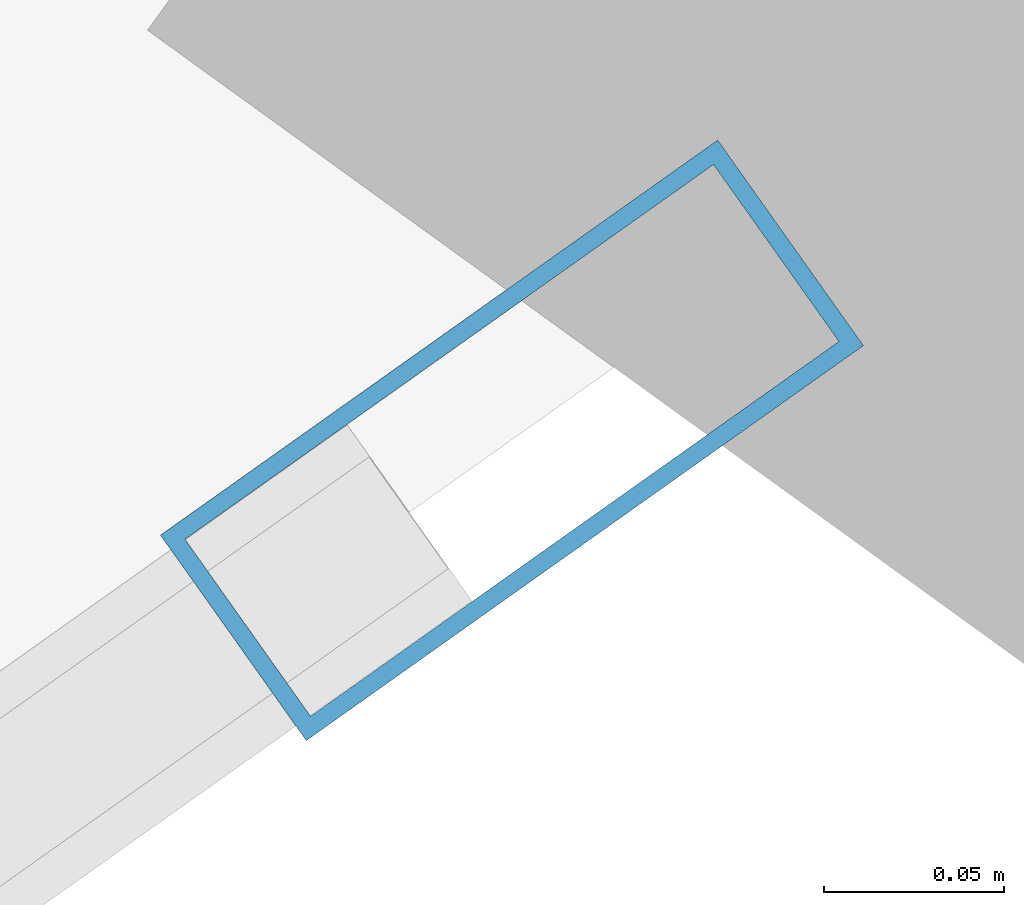
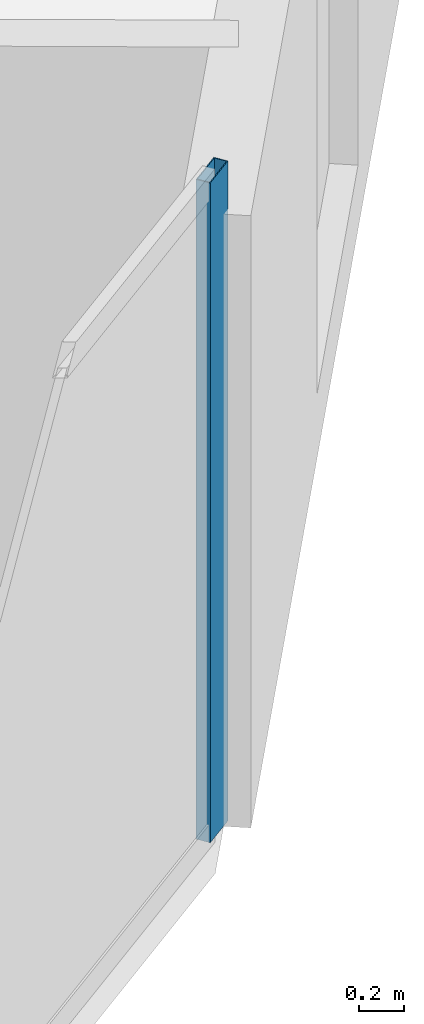
# One storey, part 10 of 26: 1 member, 1 element without a shape of its own.
"""IFC4 building model written with IfcOpenShell, lengths in metres."""

from ifc_helpers import new_model, si_unit, direction, frame, origin, origin_2d, place, context, subcontext, project, spatial, hollow_rectangle, extrude, source, transform, mapped, material, layer, layer_set, material_profile, profile_set, type_object, element, aggregate, save


model = new_model("IFC4")

# Units and contexts
model_context = context("Model", 3, precision=1e-05, world=origin(), true_north=direction((0.0, 1.0)))
body_context = subcontext(model_context, "Body", "Model", "MODEL_VIEW")
ifc_project = project(units=[si_unit("LENGTHUNIT", "METRE"), si_unit("AREAUNIT", "SQUARE_METRE"), si_unit("VOLUMEUNIT", "CUBIC_METRE"), si_unit("PLANEANGLEUNIT", "RADIAN"), si_unit("MASSUNIT", "GRAM", prefix="KILO")], contexts=[model_context])

# Site, building, storey
site_placement = place(None, origin())
site = spatial("IfcSite", under=ifc_project, at=site_placement, CompositionType="ELEMENT")
building_placement = place(site_placement, origin())
building = spatial("IfcBuilding", under=site, at=building_placement, Name="Solvirekh Grand Hotel", CompositionType="ELEMENT")
storey_placement = place(building_placement, frame((0.0, 0.0, 35.60009765625)))
storey = spatial("IfcBuildingStorey", under=building, at=storey_placement, Name="L07", CompositionType="ELEMENT", Elevation=35.60009765625)

# Curtain wall, member
ifc_material = material(Name="Anodized Bronze Aluminium 6063-T6", Category="aluminium")
ifc_layer = layer(ifc_material, 0.18994140625)
ifc_layer_set = layer_set([ifc_layer], Name="Anodized Bronze Aluminium 6063-T6")
curtain_wall_type = type_object("IfcCurtainWallType", Name="CW_Sys2_LowZoneFlushBronzeCW", PredefinedType="NOTDEFINED", material=ifc_layer_set)
curtain_wall_placement = place(storey_placement, origin())
curtain_wall = element("IfcCurtainWall", 1, at=curtain_wall_placement, inside=storey, type_object=curtain_wall_type, Name="L07 unitised bronze-glass curtain wall CW-L07-C18", PredefinedType="NOTDEFINED")
ifc_material_profile = material_profile(ifc_material, hollow_rectangle(XDim=0.070068359375, YDim=0.18994140625, WallThickness=0.0048828125, at=origin_2d()), Name="ALU RHS 190X70X5")
ifc_profile_set = profile_set([ifc_material_profile], Name="Anodized Bronze Aluminium 6063-T6")
member_type = type_object("IfcMemberType", Name="CWMullion_Sys2", PredefinedType="MULLION", material=ifc_profile_set)
shared_shape = source(origin(), body_context, "Body", "SweptSolid", [
    extrude(hollow_rectangle(XDim=0.070068359375, YDim=0.18994140625, WallThickness=0.0048828125, at=origin_2d()), origin(), (0.0, 0.0, 1.0), 3.599853515625),
])
member_placement = place(storey_placement, frame((22.049560546875, -14.38525390625, 0.0), z_axis=(0.0, 0.0, 1.0), x_axis=(-0.578373813708, 0.815771862482, 0.0)))
member = element("IfcMember", 2, at=member_placement, type_object=member_type, Name="U02 mullion 3", PredefinedType="MULLION", context=body_context, shape_type="MappedRepresentation", body=[
    mapped(shared_shape, transform((0.0, 0.0, 0.0), x_axis=(1.0, 0.0, 0.0), y_axis=(0.0, 1.0, 0.0), z_axis=(0.0, 0.0, 1.0), scale=1.0)),
])
aggregate(curtain_wall, [member])

save(model, "model.ifc")
